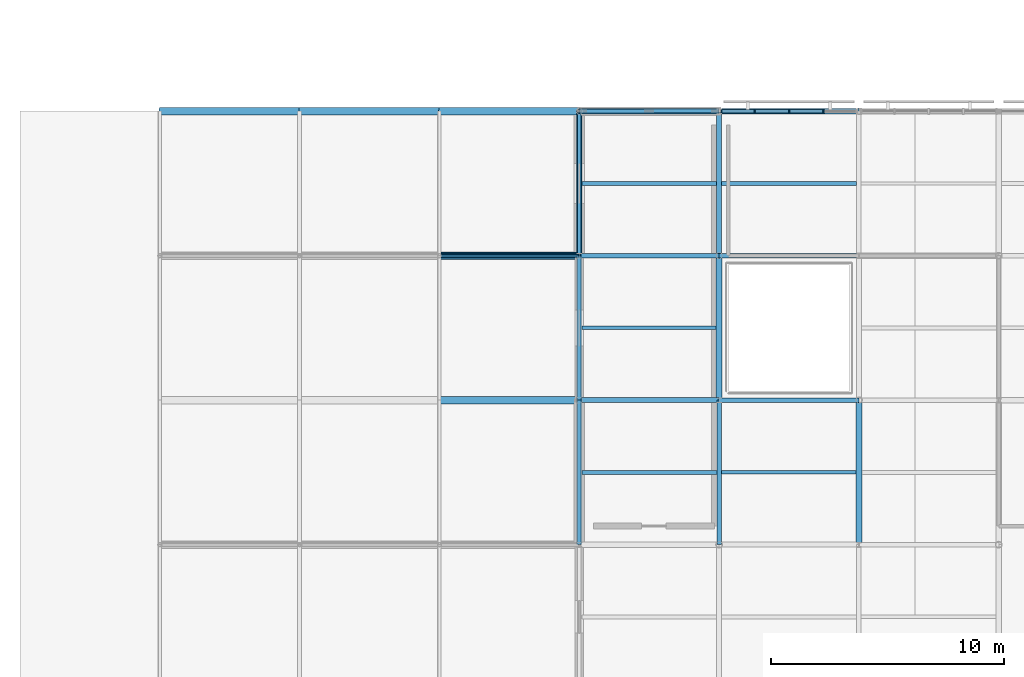
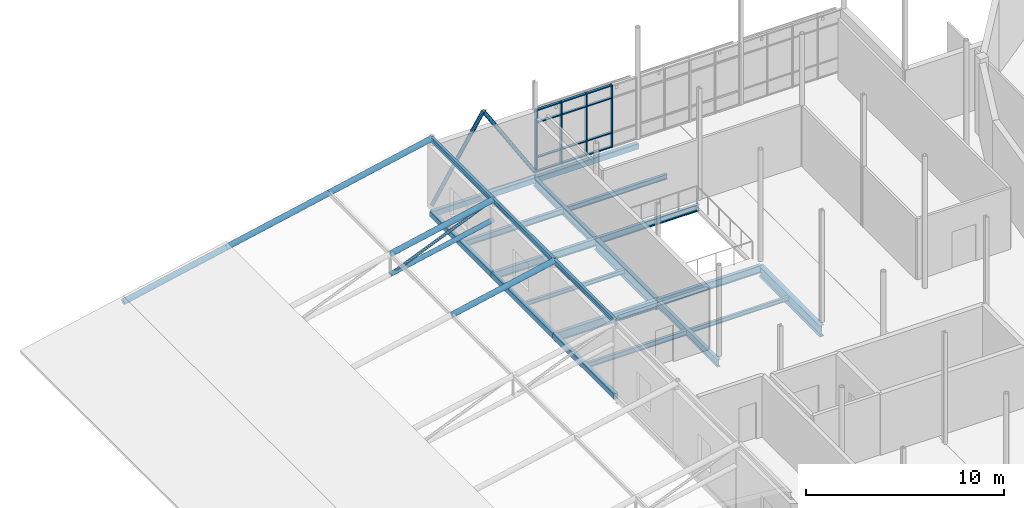
# One storey, part 25 of 66: 28 members, 18 beams, 1 element without a shape of its own.
"""IFC4 building model written with IfcOpenShell, lengths in metres."""

import ifcopenshell
import ifcopenshell.guid

model = None  # the IFC model being written
_history = None  # IfcOwnerHistory: only IFC2X3 demands one
_inside = {}  # id of a spatial element -> (the spatial element, [elements in it])
_under = {}  # id of a project, library or spatial element -> (it, [spatial elements below it])
_declared = {}  # id of a project -> (the project, [libraries it declares])
_typed = {}  # id of a type object -> (the type object, [elements of that type])
_made_of = {}  # id of a material, layer set ... -> (it, [elements and type objects made of it])


def new_model(schema):
    """Start an empty IFC model of exactly this schema.

    Asked for "IFC4X3", IfcOpenShell would pick the latest addendum, in which some entities
    have other attributes; the version numbers below select the first issue.
    IFC2X3 requires an IfcOwnerHistory on every rooted entity: one is made here for all.
    """
    global model, _history
    if schema == "IFC4X3":
        model = ifcopenshell.file(schema_version=(4, 3, 0, 0))
    else:
        model = ifcopenshell.file(schema=schema)
    _inside.clear()
    _under.clear()
    _declared.clear()
    _typed.clear()
    _made_of.clear()
    _history = None
    if model.schema == "IFC2X3":
        org = make("IfcOrganization", Name="unknown")
        user = make(
            "IfcPersonAndOrganization",
            ThePerson=make("IfcPerson", FamilyName="unknown"),
            TheOrganization=org,
        )
        app = make(
            "IfcApplication",
            ApplicationDeveloper=org,
            Version="unknown",
            ApplicationFullName="unknown",
            ApplicationIdentifier="unknown",
        )
        _history = make(
            "IfcOwnerHistory",
            OwningUser=user,
            OwningApplication=app,
            ChangeAction="ADDED",
            CreationDate=0,
        )
    return model


def make(cls, **values):
    """One entity of the class cls with the attributes given. An attribute that is None is left unset."""
    return model.create_entity(
        cls, **{name: value for name, value in values.items() if value is not None}
    )


def rooted(cls, **values):
    """An entity with a GlobalId (a new one), such as an element, a storey or a relation."""
    return make(cls, GlobalId=ifcopenshell.guid.new(), OwnerHistory=_history, **values)


def si_unit(unit_type, name, prefix=None):
    """IfcSIUnit, for example si_unit("LENGTHUNIT", "METRE", prefix="MILLI")."""
    return make("IfcSIUnit", UnitType=unit_type, Prefix=prefix, Name=name)


def assignment(units):
    """IfcUnitAssignment: the units of a project."""
    return None if units is None else make("IfcUnitAssignment", Units=units)


def point(xyz):
    """IfcCartesianPoint."""
    return None if xyz is None else make("IfcCartesianPoint", Coordinates=xyz)


def direction(xyz):
    """IfcDirection."""
    return None if xyz is None else make("IfcDirection", DirectionRatios=xyz)


def frame(location, z_axis=None, x_axis=None):
    """IfcAxis2Placement3D, a coordinate frame: its origin and axes. An axis left out is left unset."""
    return make(
        "IfcAxis2Placement3D",
        Location=point(location),
        Axis=direction(z_axis),
        RefDirection=direction(x_axis),
    )


def frame_2d(location, x_axis=None):
    """IfcAxis2Placement2D, a coordinate frame in the plane: its origin and x axis."""
    return make(
        "IfcAxis2Placement2D", Location=point(location), RefDirection=direction(x_axis)
    )


def origin():
    """The frame at (0, 0, 0) with its axes left unset."""
    return frame((0.0, 0.0, 0.0))


def origin_2d():
    """The frame at (0, 0) in the plane with its x axis left unset."""
    return frame_2d((0.0, 0.0))


def place(relative_to, where):
    """IfcLocalPlacement: puts the frame where relative to a parent placement (None: the world)."""
    return make(
        "IfcLocalPlacement", PlacementRelTo=relative_to, RelativePlacement=where
    )


def context(
    kind, dimensions, precision=None, world=None, true_north=None, identifier=None
):
    """IfcGeometricRepresentationContext, for example the 3D "Model" context."""
    return make(
        "IfcGeometricRepresentationContext",
        ContextIdentifier=identifier,
        ContextType=kind,
        CoordinateSpaceDimension=dimensions,
        Precision=precision,
        WorldCoordinateSystem=world,
        TrueNorth=true_north,
    )


def subcontext(parent, identifier, kind, view, scale=None):
    """IfcGeometricRepresentationSubContext, for example "Body" below "Model"."""
    return make(
        "IfcGeometricRepresentationSubContext",
        ContextIdentifier=identifier,
        ContextType=kind,
        ParentContext=parent,
        TargetScale=scale,
        TargetView=view,
    )


def project(units=None, contexts=None):
    """IfcProject with its units and contexts."""
    return rooted(
        "IfcProject",
        Name="project",
        RepresentationContexts=contexts,
        UnitsInContext=assignment(units),
    )


def spatial(cls, under=None, at=None, **own):
    """A site, building, storey or space (cls), placed at a placement, below another one or the project."""
    s = rooted(cls, ObjectPlacement=at, **own)
    if under is not None:
        _under.setdefault(under.id(), (under, []))[1].append(s)
    return s


def profile(cls, at=None, kind="AREA", **sizes):
    """A parametric profile (cls). Its sizes go by their IFC names, for example OverallWidth=200.0."""
    return make(cls, ProfileType=kind, Position=at, **sizes)


def rectangle(**sizes):
    """IfcRectangleProfileDef."""
    return profile("IfcRectangleProfileDef", **sizes)


def hollow_rectangle(**sizes):
    """IfcRectangleHollowProfileDef."""
    return profile("IfcRectangleHollowProfileDef", **sizes)


def hollow_circle(**sizes):
    """IfcCircleHollowProfileDef."""
    return profile("IfcCircleHollowProfileDef", **sizes)


def i_section(**sizes):
    """IfcIShapeProfileDef."""
    return profile("IfcIShapeProfileDef", **sizes)


def extrude(swept, where, along, depth):
    """IfcExtrudedAreaSolid: the profile swept, set in the frame where, extruded along a direction by depth."""
    return make(
        "IfcExtrudedAreaSolid",
        SweptArea=swept,
        Position=where,
        ExtrudedDirection=direction(along),
        Depth=depth,
    )


def shape(context_of_items, identifier, shape_type, items):
    """IfcShapeRepresentation: the items that make up one representation, for example the "Body"."""
    return make(
        "IfcShapeRepresentation",
        ContextOfItems=context_of_items,
        RepresentationIdentifier=identifier,
        RepresentationType=shape_type,
        Items=items,
    )


def material(Name=None, Category=None):
    """IfcMaterial."""
    return make("IfcMaterial", Name=Name, Category=Category)


def layer(
    of_material, thickness, ventilated=None, Name=None, Category=None, Priority=None
):
    """IfcMaterialLayer: one layer of a wall or slab, of a material (None: an air gap)."""
    return make(
        "IfcMaterialLayer",
        Material=of_material,
        LayerThickness=thickness,
        IsVentilated=ventilated,
        Name=Name,
        Category=Category,
        Priority=Priority,
    )


def layer_set(layers, Name=None):
    """IfcMaterialLayerSet."""
    return make("IfcMaterialLayerSet", MaterialLayers=layers, LayerSetName=Name)


def material_profile(
    of_material, cross_section, Name=None, Category=None, Priority=None
):
    """IfcMaterialProfile: a cross section and its material."""
    return make(
        "IfcMaterialProfile",
        Name=Name,
        Material=of_material,
        Profile=cross_section,
        Priority=Priority,
        Category=Category,
    )


def profile_set(profiles, Name=None, composite=None):
    """IfcMaterialProfileSet."""
    return make(
        "IfcMaterialProfileSet",
        Name=Name,
        MaterialProfiles=profiles,
        CompositeProfile=composite,
    )


def made_of(thing, what):
    """Note that an element or type object is made of a material, layer set ...; save() writes the relation."""
    if what is not None:
        _made_of.setdefault(what.id(), (what, []))[1].append(thing)
    return thing


def type_object(cls, material=None, **own):
    """A type object (cls), such as IfcWallType, which elements share."""
    return made_of(rooted(cls, **own), material)


def element(
    cls,
    number,
    at=None,
    inside=None,
    cuts=None,
    type_object=None,
    material=None,
    context=None,
    identifier="Body",
    shape_type=None,
    held_by="IfcProductDefinitionShape",
    body=None,
    shapes=None,
    **own,
):
    """One element of the class cls, such as IfcWall. Its Tag is "e" and its number.

    at: its placement. inside: the storey or other place that contains it. cuts: it is an
    opening in that element (IfcRelVoidsElement). A single representation is given by context,
    identifier, shape_type and body (its items); several are given by shapes. held_by: the class
    of the entity that holds the representations. save() writes the other relations.
    """
    e = rooted(cls, Tag="e%d" % number, ObjectPlacement=at, **own)
    if body is not None:
        shapes = [shape(context, identifier, shape_type, body)]
    if shapes is not None:
        e.Representation = make(held_by, Representations=shapes)
    if inside is not None:
        _inside.setdefault(inside.id(), (inside, []))[1].append(e)
    if cuts is not None:
        rooted(
            "IfcRelVoidsElement", RelatingBuildingElement=cuts, RelatedOpeningElement=e
        )
    if type_object is not None:
        _typed.setdefault(type_object.id(), (type_object, []))[1].append(e)
    return made_of(e, material)


def aggregate(whole, parts):
    """IfcRelAggregates: a whole, such as a stair, and the parts it consists of."""
    return rooted("IfcRelAggregates", RelatingObject=whole, RelatedObjects=parts)


def save(model, path):
    """Write the relations noted so far, then the file.

    IfcRelAggregates (storeys below a building ...), IfcRelContainedInSpatialStructure (elements
    in a storey), IfcRelDefinesByType, IfcRelAssociatesMaterial and IfcRelDeclares: one each for
    every whole, place, type object, material and project.
    """
    for whole, parts in _under.values():
        aggregate(whole, parts)
    for where, things in _inside.values():
        rooted(
            "IfcRelContainedInSpatialStructure",
            RelatedElements=things,
            RelatingStructure=where,
        )
    for kind, things in _typed.values():
        rooted("IfcRelDefinesByType", RelatedObjects=things, RelatingType=kind)
    for what, things in _made_of.values():
        rooted("IfcRelAssociatesMaterial", RelatedObjects=things, RelatingMaterial=what)
    for by, libraries in _declared.values():
        rooted("IfcRelDeclares", RelatingContext=by, RelatedDefinitions=libraries)
    model.write(path)


model = new_model("IFC4")

# Units and contexts
model_context = context("Model", 3, precision=1e-05, world=origin(), true_north=direction((0.0, 1.0)))
body_context = subcontext(model_context, "Body", "Model", "MODEL_VIEW")
ifc_project = project(units=[si_unit("LENGTHUNIT", "METRE"), si_unit("AREAUNIT", "SQUARE_METRE"), si_unit("VOLUMEUNIT", "CUBIC_METRE"), si_unit("PLANEANGLEUNIT", "RADIAN"), si_unit("MASSUNIT", "GRAM", prefix="KILO")], contexts=[model_context])

# Site, building, storey
site_placement = place(None, origin())
site = spatial("IfcSite", under=ifc_project, at=site_placement, CompositionType="ELEMENT")
building_placement = place(site_placement, origin())
building = spatial("IfcBuilding", under=site, at=building_placement, Name="Mirzam Square Science Centre", CompositionType="ELEMENT")
storey_placement = place(building_placement, frame((0.0, 0.0, 15.60009765625)))
storey = spatial("IfcBuildingStorey", under=building, at=storey_placement, Name="L03", CompositionType="ELEMENT", Elevation=15.60009765625)

# Beams
ifc_material_1 = material(Name="Steel S355", Category="steel")
ifc_material_profile_1 = material_profile(ifc_material_1, i_section(OverallWidth=0.1787109375, OverallDepth=0.409423828125, WebThickness=0.0087890625, FlangeThickness=0.014404296875, FilletRadius=0.01025390625, at=origin_2d()), Name="406x178x67UB")
ifc_profile_set_1 = profile_set([ifc_material_profile_1], Name="Steel S355")
beam_type_1 = type_object("IfcBeamType", Name="BM-UB406", PredefinedType="BEAM", material=ifc_profile_set_1)
beam_1_placement = place(storey_placement, frame((42.0, 74.39990234375, -0.46484375), z_axis=(1.0, 0.0, 0.0), x_axis=(0.0, 1.0, 0.0)))
element("IfcBeam", 1, at=beam_1_placement, inside=storey, type_object=beam_type_1, Name="L03 girder X8-13", PredefinedType="BEAM", context=body_context, shape_type="SweptSolid", body=[
    extrude(i_section(OverallWidth=0.1787109375, OverallDepth=0.409423828125, WebThickness=0.0087890625, FlangeThickness=0.014404296875, FilletRadius=0.01025390625, at=origin_2d()), origin(), (0.0, 0.0, 1.0), 6.0),
])
ifc_material_profile_2 = material_profile(ifc_material_1, i_section(OverallWidth=0.19140625, OverallDepth=0.4599609375, WebThickness=0.010009765625, FlangeThickness=0.01611328125, FilletRadius=0.01025390625, at=origin_2d()), Name="457x191x82UB")
ifc_profile_set_2 = profile_set([ifc_material_profile_2], Name="Steel S355")
beam_type_2 = type_object("IfcBeamType", Name="BM-UB457", PredefinedType="BEAM", material=ifc_profile_set_2)
for number, where, z_axis, x_axis, name in (
    (2, (42.0, 68.199951171875, -0.489990234375), (1.0, 0.0, 0.0), (0.0, 1.0, 0.0), "L03 girder X8-12"),
    (3, (36.0, 74.39990234375, -0.489990234375), (1.0, 0.0, 0.0), (0.0, 1.0, 0.0), "L03 girder X7-13"),
):
    element("IfcBeam", number, at=place(storey_placement, frame(where, z_axis=z_axis, x_axis=x_axis)), inside=storey, type_object=beam_type_2, Name=name, PredefinedType="BEAM", context=body_context, shape_type="SweptSolid", body=[
        extrude(i_section(OverallWidth=0.19140625, OverallDepth=0.4599609375, WebThickness=0.010009765625, FlangeThickness=0.01611328125, FilletRadius=0.01025390625, at=origin_2d()), origin(), (0.0, 0.0, 1.0), 6.0),
    ])
beam_2_placement = place(storey_placement, frame((42.0, 62.0, -0.489990234375), z_axis=(0.0, 1.0, 0.0), x_axis=(-1.0, 0.0, 0.0)))
element("IfcBeam", 4, at=beam_2_placement, inside=storey, type_object=beam_type_2, Name="L03 girder Y8-11", PredefinedType="BEAM", context=body_context, shape_type="SweptSolid", body=[
    extrude(i_section(OverallWidth=0.19140625, OverallDepth=0.4599609375, WebThickness=0.010009765625, FlangeThickness=0.01611328125, FilletRadius=0.01025390625, at=origin_2d()), origin(), (0.0, 0.0, 1.0), 6.199951171875),
])
ifc_material_profile_3 = material_profile(ifc_material_1, i_section(OverallWidth=0.2099609375, OverallDepth=0.53662109375, WebThickness=0.0107421875, FlangeThickness=0.017333984375, FilletRadius=0.0126953125, at=origin_2d()), Name="533x210x101UB")
ifc_profile_set_3 = profile_set([ifc_material_profile_3], Name="Steel S355")
beam_type_3 = type_object("IfcBeamType", Name="BM-UB533", PredefinedType="BEAM", material=ifc_profile_set_3)
beam_3_placement = place(storey_placement, frame((36.0, 68.199951171875, -0.528564453125), z_axis=(1.0, 0.0, 0.0), x_axis=(0.0, 1.0, 0.0)))
element("IfcBeam", 5, at=beam_3_placement, inside=storey, type_object=beam_type_3, Name="L03 girder X7-12", PredefinedType="BEAM", context=body_context, shape_type="SweptSolid", body=[
    extrude(i_section(OverallWidth=0.2099609375, OverallDepth=0.53662109375, WebThickness=0.0107421875, FlangeThickness=0.017333984375, FilletRadius=0.0126953125, at=origin_2d()), origin(), (0.0, 0.0, 1.0), 6.0),
])
beam_4_placement = place(storey_placement, frame((42.0, 74.39990234375, -0.528564453125), z_axis=(0.0, 1.0, 0.0), x_axis=(-1.0, 0.0, 0.0)))
element("IfcBeam", 6, at=beam_4_placement, inside=storey, type_object=beam_type_3, Name="L03 girder Y8-13", PredefinedType="BEAM", context=body_context, shape_type="SweptSolid", body=[
    extrude(i_section(OverallWidth=0.2099609375, OverallDepth=0.53662109375, WebThickness=0.0107421875, FlangeThickness=0.017333984375, FilletRadius=0.0126953125, at=origin_2d()), origin(), (0.0, 0.0, 1.0), 6.2001953125),
])
ifc_material_profile_4 = material_profile(ifc_material_1, i_section(OverallWidth=0.25439453125, OverallDepth=0.6875, WebThickness=0.01318359375, FlangeThickness=0.02099609375, FilletRadius=0.01513671875, at=origin_2d()), Name="686x254x152UB")
ifc_profile_set_4 = profile_set([ifc_material_profile_4], Name="Steel S355")
beam_type_4 = type_object("IfcBeamType", Name="BM-UB686", PredefinedType="BEAM", material=ifc_profile_set_4)
for number, where, z_axis, x_axis, name in (
    (7, (42.0, 68.199951171875, -0.60400390625), (0.0, 1.0, 0.0), (-1.0, 0.0, 0.0), "L03 girder Y8-12"),
    (8, (48.0, 62.0, -0.60400390625), (0.0, 1.0, 0.0), (-1.0, 0.0, 0.0), "L03 girder Y9-11"),
):
    element("IfcBeam", number, at=place(storey_placement, frame(where, z_axis=z_axis, x_axis=x_axis)), inside=storey, type_object=beam_type_4, Name=name, PredefinedType="BEAM", context=body_context, shape_type="SweptSolid", body=[
        extrude(i_section(OverallWidth=0.25439453125, OverallDepth=0.6875, WebThickness=0.01318359375, FlangeThickness=0.02099609375, FilletRadius=0.01513671875, at=origin_2d()), origin(), (0.0, 0.0, 1.0), 6.199951171875),
    ])

# Members
ifc_material_profile_5 = material_profile(ifc_material_1, hollow_circle(Radius=0.084228515625, WallThickness=0.008056640625, at=origin_2d()), Name="168.3x8.0CHS")
ifc_profile_set_5 = profile_set([ifc_material_profile_5], Name="Steel S355")
member_type_1 = type_object("IfcMemberType", Name="BR-CHS168", PredefinedType="BRACE", material=ifc_profile_set_5)
member_1_placement = place(storey_placement, frame((30.0, 74.39990234375, 1.67431640625), z_axis=(0.922529582988, 0.0, 0.385926377063), x_axis=(0.0, 1.0, 0.0)))
element("IfcMember", 9, at=member_1_placement, inside=storey, type_object=member_type_1, Name="Wedge truss web diagonal Y13 bay 6", PredefinedType="BRACE", context=body_context, shape_type="SweptSolid", body=[
    extrude(hollow_circle(Radius=0.084228515625, WallThickness=0.008056640625, at=origin_2d()), origin(), (0.0, 0.0, 1.0), 6.50390625),
])
ifc_material_profile_6 = material_profile(ifc_material_1, hollow_circle(Radius=0.109619140625, WallThickness=0.010009765625, at=origin_2d()), Name="219.1x10.0CHS")
ifc_profile_set_6 = profile_set([ifc_material_profile_6], Name="Steel S355")
member_type_2 = type_object("IfcMemberType", Name="BR-CHS219", PredefinedType="BRACE", material=ifc_profile_set_6)
for number, where, z_axis, x_axis, name in (
    (10, (36.0, 80.60009765625, 0.0498046875), (0.532817869845, 0.0, 0.846229943676), (0.0, 1.0, 0.0), "L03 chevron brace 3A"),
    (11, (42.0, 80.60009765625, 0.0498046875), (-0.532817869845, 0.0, 0.846229943676), (0.0, -1.0, 0.0), "L03 chevron brace 3B"),
):
    element("IfcMember", number, at=place(storey_placement, frame(where, z_axis=z_axis, x_axis=x_axis)), inside=storey, type_object=member_type_2, Name=name, PredefinedType="BRACE", context=body_context, shape_type="SweptSolid", body=[
        extrude(hollow_circle(Radius=0.109619140625, WallThickness=0.010009765625, at=origin_2d()), origin(), (0.0, 0.0, 1.0), 5.63037109375),
    ])
ifc_material_profile_7 = material_profile(ifc_material_1, hollow_circle(Radius=0.136474609375, WallThickness=0.010009765625, at=origin_2d()), Name="273.0x10.0CHS")
ifc_profile_set_7 = profile_set([ifc_material_profile_7], Name="Steel S355")
member_type_3 = type_object("IfcMemberType", Name="CH-CHS273", PredefinedType="CHORD", material=ifc_profile_set_7)
member_2_placement = place(storey_placement, frame((30.0, 74.39990234375, 1.67431640625), z_axis=(0.978653176229, 0.0, 0.205518759868), x_axis=(0.0, 1.0, 0.0)))
element("IfcMember", 12, at=member_2_placement, inside=storey, type_object=member_type_3, Name="Wedge truss bottom chord Y13 bay 6", PredefinedType="CHORD", context=body_context, shape_type="SweptSolid", body=[
    extrude(hollow_circle(Radius=0.136474609375, WallThickness=0.010009765625, at=origin_2d()), origin(), (0.0, 0.0, 1.0), 6.130859375),
])
ifc_material_profile_8 = material_profile(ifc_material_1, hollow_circle(Radius=0.161865234375, WallThickness=0.012451171875, at=origin_2d()), Name="323.9x12.5CHS")
ifc_profile_set_8 = profile_set([ifc_material_profile_8], Name="Steel S355")
member_type_4 = type_object("IfcMemberType", Name="CH-CHS324", PredefinedType="CHORD", material=ifc_profile_set_8)
for number, where, z_axis, x_axis, name in (
    (13, (30.0, 68.199951171875, 2.92431640625), (0.978653176229, 0.0, 0.205518759868), (0.0, 1.0, 0.0), "Wedge truss top chord Y12 bay 6"),
    (14, (30.0, 74.39990234375, 2.92431640625), (0.978653176229, 0.0, 0.205518759868), (0.0, 1.0, 0.0), "Wedge truss top chord Y13 bay 6"),
    (15, (18.0, 80.60009765625, 0.404296875), (0.978653176229, 0.0, 0.205518759868), (0.0, 1.0, 0.0), "Wedge truss top chord Y14 bay 4"),
    (16, (24.0, 80.60009765625, 1.664306640625), (0.978653176229, 0.0, 0.205518759868), (0.0, 1.0, 0.0), "Wedge truss top chord Y14 bay 5"),
    (17, (30.0, 80.60009765625, 2.92431640625), (0.978653176229, 0.0, 0.205518759868), (0.0, 1.0, 0.0), "Wedge truss top chord Y14 bay 6"),
):
    element("IfcMember", number, at=place(storey_placement, frame(where, z_axis=z_axis, x_axis=x_axis)), inside=storey, type_object=member_type_4, Name=name, PredefinedType="CHORD", context=body_context, shape_type="SweptSolid", body=[
        extrude(hollow_circle(Radius=0.161865234375, WallThickness=0.012451171875, at=origin_2d()), origin(), (0.0, 0.0, 1.0), 6.130859375),
    ])

# Curtain wall, members
ifc_material_2 = material(Name="Anodised Aluminium and Low-E Solar Glass", Category="aluminium")
ifc_layer = layer(ifc_material_2, 0.159912109375)
ifc_layer_set = layer_set([ifc_layer], Name="CW-COURT-A")
curtain_wall_type = type_object("IfcCurtainWallType", Name="CW-COURT-A", PredefinedType="USERDEFINED", material=ifc_layer_set)
curtain_wall_placement = place(storey_placement, origin())
curtain_wall = element("IfcCurtainWall", 18, at=curtain_wall_placement, inside=storey, type_object=curtain_wall_type, Name="L03 unitised curtain wall 31", ObjectType="UNITISED CURTAIN WALL", PredefinedType="USERDEFINED")
ifc_material_3 = material(Name="Anodised Architectural Aluminium 6063-T6", Category="aluminium")
ifc_material_profile_9 = material_profile(ifc_material_3, rectangle(XDim=0.06494140625, YDim=0.199951171875, at=origin_2d()), Name="ALU-MULL-200x65x5")
ifc_profile_set_9 = profile_set([ifc_material_profile_9], Name="Anodised Architectural Aluminium 6063-T6")
member_type_5 = type_object("IfcMemberType", Name="CWM-200", PredefinedType="MULLION", material=ifc_profile_set_9)
member_3_placement = place(storey_placement, frame((46.472412109375, 80.60009765625, 0.0), z_axis=(0.0, 0.0, 1.0), x_axis=(-1.0, 0.0, 0.0)))
member_3 = element("IfcMember", 19, at=member_3_placement, type_object=member_type_5, Name="CW-03 mullion 2", PredefinedType="MULLION", context=body_context, shape_type="SweptSolid", body=[
    extrude(rectangle(XDim=0.06494140625, YDim=0.199951171875, at=origin_2d()), origin(), (0.0, 0.0, 1.0), 3.83984375),
])
member_4_placement = place(storey_placement, frame((45.0, 80.60009765625, 0.0), z_axis=(0.0, 0.0, 1.0), x_axis=(-1.0, 0.0, 0.0)))
member_4 = element("IfcMember", 20, at=member_4_placement, type_object=member_type_5, Name="CW-03 mullion 3", PredefinedType="MULLION", context=body_context, shape_type="SweptSolid", body=[
    extrude(rectangle(XDim=0.06494140625, YDim=0.199951171875, at=origin_2d()), origin(), (0.0, 0.0, 1.0), 3.83984375),
])
member_5_placement = place(storey_placement, frame((43.527587890625, 80.60009765625, 0.0), z_axis=(0.0, 0.0, 1.0), x_axis=(-1.0, 0.0, 0.0)))
member_5 = element("IfcMember", 21, at=member_5_placement, type_object=member_type_5, Name="CW-03 mullion 4", PredefinedType="MULLION", context=body_context, shape_type="SweptSolid", body=[
    extrude(rectangle(XDim=0.06494140625, YDim=0.199951171875, at=origin_2d()), origin(), (0.0, 0.0, 1.0), 3.83984375),
])
member_6_placement = place(storey_placement, frame((42.08740234375, 80.60009765625, 0.0), z_axis=(0.0, 0.0, 1.0), x_axis=(-1.0, 0.0, 0.0)))
member_6 = element("IfcMember", 22, at=member_6_placement, type_object=member_type_5, Name="CW-03 mullion 5", PredefinedType="MULLION", context=body_context, shape_type="SweptSolid", body=[
    extrude(rectangle(XDim=0.06494140625, YDim=0.199951171875, at=origin_2d()), origin(), (0.0, 0.0, 1.0), 3.83984375),
])
ifc_material_profile_10 = material_profile(ifc_material_3, rectangle(XDim=0.14990234375, YDim=0.06494140625, at=origin_2d()), Name="ALU-TRAN-150x65x4")
ifc_profile_set_10 = profile_set([ifc_material_profile_10], Name="Anodised Architectural Aluminium 6063-T6")
member_type_6 = type_object("IfcMemberType", Name="CWT-150", PredefinedType="USERDEFINED", material=ifc_profile_set_10)
member_7_placement = place(storey_placement, frame((46.43994140625, 80.60009765625, 0.032470703125), z_axis=(-1.0, 0.0, 0.0), x_axis=(0.0, -1.0, 0.0)))
member_7 = element("IfcMember", 23, at=member_7_placement, type_object=member_type_6, Name="CW-03 transom 2.1", ObjectType="TRANSOM", PredefinedType="USERDEFINED", context=body_context, shape_type="SweptSolid", body=[
    extrude(rectangle(XDim=0.14990234375, YDim=0.06494140625, at=origin_2d()), origin(), (0.0, 0.0, 1.0), 1.407470703125),
])
member_8_placement = place(storey_placement, frame((46.43994140625, 80.60009765625, 0.89990234375), z_axis=(-1.0, 0.0, 0.0), x_axis=(0.0, -1.0, 0.0)))
member_8 = element("IfcMember", 24, at=member_8_placement, type_object=member_type_6, Name="CW-03 transom 2.2", ObjectType="TRANSOM", PredefinedType="USERDEFINED", context=body_context, shape_type="SweptSolid", body=[
    extrude(rectangle(XDim=0.14990234375, YDim=0.06494140625, at=origin_2d()), origin(), (0.0, 0.0, 1.0), 1.407470703125),
])
member_9_placement = place(storey_placement, frame((46.43994140625, 80.60009765625, 3.039794921875), z_axis=(-1.0, 0.0, 0.0), x_axis=(0.0, -1.0, 0.0)))
member_9 = element("IfcMember", 25, at=member_9_placement, type_object=member_type_6, Name="CW-03 transom 2.3", ObjectType="TRANSOM", PredefinedType="USERDEFINED", context=body_context, shape_type="SweptSolid", body=[
    extrude(rectangle(XDim=0.14990234375, YDim=0.06494140625, at=origin_2d()), origin(), (0.0, 0.0, 1.0), 1.407470703125),
])
member_10_placement = place(storey_placement, frame((46.43994140625, 80.60009765625, 3.807373046875), z_axis=(-1.0, 0.0, 0.0), x_axis=(0.0, -1.0, 0.0)))
member_10 = element("IfcMember", 26, at=member_10_placement, type_object=member_type_6, Name="CW-03 transom 2.4", ObjectType="TRANSOM", PredefinedType="USERDEFINED", context=body_context, shape_type="SweptSolid", body=[
    extrude(rectangle(XDim=0.14990234375, YDim=0.06494140625, at=origin_2d()), origin(), (0.0, 0.0, 1.0), 1.407470703125),
])
member_11_placement = place(storey_placement, frame((44.967529296875, 80.60009765625, 0.032470703125), z_axis=(-1.0, 0.0, 0.0), x_axis=(0.0, -1.0, 0.0)))
member_11 = element("IfcMember", 27, at=member_11_placement, type_object=member_type_6, Name="CW-03 transom 3.1", ObjectType="TRANSOM", PredefinedType="USERDEFINED", context=body_context, shape_type="SweptSolid", body=[
    extrude(rectangle(XDim=0.14990234375, YDim=0.06494140625, at=origin_2d()), origin(), (0.0, 0.0, 1.0), 1.407470703125),
])
member_12_placement = place(storey_placement, frame((44.967529296875, 80.60009765625, 0.89990234375), z_axis=(-1.0, 0.0, 0.0), x_axis=(0.0, -1.0, 0.0)))
member_12 = element("IfcMember", 28, at=member_12_placement, type_object=member_type_6, Name="CW-03 transom 3.2", ObjectType="TRANSOM", PredefinedType="USERDEFINED", context=body_context, shape_type="SweptSolid", body=[
    extrude(rectangle(XDim=0.14990234375, YDim=0.06494140625, at=origin_2d()), origin(), (0.0, 0.0, 1.0), 1.407470703125),
])
member_13_placement = place(storey_placement, frame((44.967529296875, 80.60009765625, 3.039794921875), z_axis=(-1.0, 0.0, 0.0), x_axis=(0.0, -1.0, 0.0)))
member_13 = element("IfcMember", 29, at=member_13_placement, type_object=member_type_6, Name="CW-03 transom 3.3", ObjectType="TRANSOM", PredefinedType="USERDEFINED", context=body_context, shape_type="SweptSolid", body=[
    extrude(rectangle(XDim=0.14990234375, YDim=0.06494140625, at=origin_2d()), origin(), (0.0, 0.0, 1.0), 1.407470703125),
])
member_14_placement = place(storey_placement, frame((44.967529296875, 80.60009765625, 3.807373046875), z_axis=(-1.0, 0.0, 0.0), x_axis=(0.0, -1.0, 0.0)))
member_14 = element("IfcMember", 30, at=member_14_placement, type_object=member_type_6, Name="CW-03 transom 3.4", ObjectType="TRANSOM", PredefinedType="USERDEFINED", context=body_context, shape_type="SweptSolid", body=[
    extrude(rectangle(XDim=0.14990234375, YDim=0.06494140625, at=origin_2d()), origin(), (0.0, 0.0, 1.0), 1.407470703125),
])
member_15_placement = place(storey_placement, frame((43.4951171875, 80.60009765625, 0.032470703125), z_axis=(-1.0, 0.0, 0.0), x_axis=(0.0, -1.0, 0.0)))
member_15 = element("IfcMember", 31, at=member_15_placement, type_object=member_type_6, Name="CW-03 transom 4.1", ObjectType="TRANSOM", PredefinedType="USERDEFINED", context=body_context, shape_type="SweptSolid", body=[
    extrude(rectangle(XDim=0.14990234375, YDim=0.06494140625, at=origin_2d()), origin(), (0.0, 0.0, 1.0), 1.375),
])
member_16_placement = place(storey_placement, frame((43.4951171875, 80.60009765625, 0.89990234375), z_axis=(-1.0, 0.0, 0.0), x_axis=(0.0, -1.0, 0.0)))
member_16 = element("IfcMember", 32, at=member_16_placement, type_object=member_type_6, Name="CW-03 transom 4.2", ObjectType="TRANSOM", PredefinedType="USERDEFINED", context=body_context, shape_type="SweptSolid", body=[
    extrude(rectangle(XDim=0.14990234375, YDim=0.06494140625, at=origin_2d()), origin(), (0.0, 0.0, 1.0), 1.375),
])
member_17_placement = place(storey_placement, frame((43.4951171875, 80.60009765625, 3.039794921875), z_axis=(-1.0, 0.0, 0.0), x_axis=(0.0, -1.0, 0.0)))
member_17 = element("IfcMember", 33, at=member_17_placement, type_object=member_type_6, Name="CW-03 transom 4.3", ObjectType="TRANSOM", PredefinedType="USERDEFINED", context=body_context, shape_type="SweptSolid", body=[
    extrude(rectangle(XDim=0.14990234375, YDim=0.06494140625, at=origin_2d()), origin(), (0.0, 0.0, 1.0), 1.375),
])
member_18_placement = place(storey_placement, frame((43.4951171875, 80.60009765625, 3.807373046875), z_axis=(-1.0, 0.0, 0.0), x_axis=(0.0, -1.0, 0.0)))
member_18 = element("IfcMember", 34, at=member_18_placement, type_object=member_type_6, Name="CW-03 transom 4.4", ObjectType="TRANSOM", PredefinedType="USERDEFINED", context=body_context, shape_type="SweptSolid", body=[
    extrude(rectangle(XDim=0.14990234375, YDim=0.06494140625, at=origin_2d()), origin(), (0.0, 0.0, 1.0), 1.375),
])
aggregate(curtain_wall, [member_3, member_4, member_5, member_6, member_7, member_8, member_9, member_10, member_11, member_12, member_13, member_14, member_15, member_16, member_17, member_18])

# Beams
ifc_material_profile_11 = material_profile(ifc_material_1, i_section(OverallWidth=0.146484375, OverallDepth=0.256103515625, WebThickness=0.00634765625, FlangeThickness=0.010986328125, FilletRadius=0.007568359375, at=origin_2d()), Name="254x146x37UB")
ifc_profile_set_11 = profile_set([ifc_material_profile_11], Name="Steel S355")
beam_type_5 = type_object("IfcBeamType", Name="JS-UB254", PredefinedType="JOIST", material=ifc_profile_set_11)
beam_5_placement = place(storey_placement, frame((36.125, 71.300048828125, -0.38818359375), z_axis=(1.0, 0.0, 0.0), x_axis=(0.0, 1.0, 0.0)))
element("IfcBeam", 35, at=beam_5_placement, inside=storey, type_object=beam_type_5, Name="L03 composite joist 7-12", PredefinedType="JOIST", context=body_context, shape_type="SweptSolid", body=[
    extrude(i_section(OverallWidth=0.146484375, OverallDepth=0.256103515625, WebThickness=0.00634765625, FlangeThickness=0.010986328125, FilletRadius=0.007568359375, at=origin_2d()), origin(), (0.0, 0.0, 1.0), 5.747802734375),
])
beam_6_placement = place(storey_placement, frame((42.095703125, 65.10009765625, -0.38818359375), z_axis=(1.0, 0.0, 0.0), x_axis=(0.0, 1.0, 0.0)))
element("IfcBeam", 36, at=beam_6_placement, inside=storey, type_object=beam_type_5, Name="L03 composite joist 8-11", PredefinedType="JOIST", context=body_context, shape_type="SweptSolid", body=[
    extrude(i_section(OverallWidth=0.146484375, OverallDepth=0.256103515625, WebThickness=0.00634765625, FlangeThickness=0.010986328125, FilletRadius=0.007568359375, at=origin_2d()), origin(), (0.0, 0.0, 1.0), 5.777099609375),
])
ifc_material_profile_12 = material_profile(ifc_material_1, i_section(OverallWidth=0.165771484375, OverallDepth=0.306640625, WebThickness=0.006591796875, FlangeThickness=0.01171875, FilletRadius=0.0087890625, at=origin_2d()), Name="305x165x46UB")
ifc_profile_set_12 = profile_set([ifc_material_profile_12], Name="Steel S355")
beam_type_6 = type_object("IfcBeamType", Name="JS-UB305", PredefinedType="JOIST", material=ifc_profile_set_12)
beam_7_placement = place(storey_placement, frame((36.125, 65.10009765625, -0.413330078125), z_axis=(1.0, 0.0, 0.0), x_axis=(0.0, 1.0, 0.0)))
element("IfcBeam", 37, at=beam_7_placement, inside=storey, type_object=beam_type_6, Name="L03 composite joist 7-11", PredefinedType="JOIST", context=body_context, shape_type="SweptSolid", body=[
    extrude(i_section(OverallWidth=0.165771484375, OverallDepth=0.306640625, WebThickness=0.006591796875, FlangeThickness=0.01171875, FilletRadius=0.0087890625, at=origin_2d()), origin(), (0.0, 0.0, 1.0), 5.779296875),
])
beam_8_placement = place(storey_placement, frame((42.10498046875, 77.5, -0.413330078125), z_axis=(1.0, 0.0, 0.0), x_axis=(0.0, 1.0, 0.0)))
element("IfcBeam", 38, at=beam_8_placement, inside=storey, type_object=beam_type_6, Name="L03 composite joist 8-13", PredefinedType="JOIST", context=body_context, shape_type="SweptSolid", body=[
    extrude(i_section(OverallWidth=0.165771484375, OverallDepth=0.306640625, WebThickness=0.006591796875, FlangeThickness=0.01171875, FilletRadius=0.0087890625, at=origin_2d()), origin(), (0.0, 0.0, 1.0), 5.79931640625),
])
ifc_material_profile_13 = material_profile(ifc_material_1, i_section(OverallWidth=0.172119140625, OverallDepth=0.35791015625, WebThickness=0.008056640625, FlangeThickness=0.012939453125, FilletRadius=0.01025390625, at=origin_2d()), Name="356x171x57UB")
ifc_profile_set_13 = profile_set([ifc_material_profile_13], Name="Steel S355")
beam_type_7 = type_object("IfcBeamType", Name="JS-UB356", PredefinedType="JOIST", material=ifc_profile_set_13)
beam_9_placement = place(storey_placement, frame((36.125, 77.5, -0.439208984375), z_axis=(1.0, 0.0, 0.0), x_axis=(0.0, 1.0, 0.0)))
element("IfcBeam", 39, at=beam_9_placement, inside=storey, type_object=beam_type_7, Name="L03 composite joist 7-13", PredefinedType="JOIST", context=body_context, shape_type="SweptSolid", body=[
    extrude(i_section(OverallWidth=0.172119140625, OverallDepth=0.35791015625, WebThickness=0.008056640625, FlangeThickness=0.012939453125, FilletRadius=0.01025390625, at=origin_2d()), origin(), (0.0, 0.0, 1.0), 5.77001953125),
])

# Members
ifc_material_profile_14 = material_profile(ifc_material_1, i_section(OverallWidth=0.165771484375, OverallDepth=0.306640625, WebThickness=0.006591796875, FlangeThickness=0.01171875, FilletRadius=0.0087890625, at=origin_2d()), Name="305x165x46UB")
ifc_profile_set_14 = profile_set([ifc_material_profile_14], Name="Steel S355")
member_type_7 = type_object("IfcMemberType", Name="RF-UB305", PredefinedType="RAFTER", material=ifc_profile_set_14)
for number, where, z_axis, x_axis, name in (
    (40, (36.0, 62.0, 4.158203125), (0.0, 1.0, 0.0), (-1.0, 0.0, 0.0), "Wedge roof rafter X7-11"),
    (41, (36.0, 68.199951171875, 4.158203125), (0.0, 1.0, 0.0), (-1.0, 0.0, 0.0), "Wedge roof rafter X7-12"),
):
    element("IfcMember", number, at=place(storey_placement, frame(where, z_axis=z_axis, x_axis=x_axis)), inside=storey, type_object=member_type_7, Name=name, PredefinedType="RAFTER", context=body_context, shape_type="SweptSolid", body=[
        extrude(i_section(OverallWidth=0.165771484375, OverallDepth=0.306640625, WebThickness=0.006591796875, FlangeThickness=0.01171875, FilletRadius=0.0087890625, at=origin_2d()), origin(), (0.0, 0.0, 1.0), 6.199951171875),
    ])
member_19_placement = place(storey_placement, frame((36.0, 74.39990234375, 4.158203125), z_axis=(0.0, 1.0, 0.0), x_axis=(-1.0, 0.0, 0.0)))
element("IfcMember", 42, at=member_19_placement, inside=storey, type_object=member_type_7, Name="Wedge roof rafter X7-13", PredefinedType="RAFTER", context=body_context, shape_type="SweptSolid", body=[
    extrude(i_section(OverallWidth=0.165771484375, OverallDepth=0.306640625, WebThickness=0.006591796875, FlangeThickness=0.01171875, FilletRadius=0.0087890625, at=origin_2d()), origin(), (0.0, 0.0, 1.0), 6.2001953125),
])

# Beams
ifc_material_profile_15 = material_profile(ifc_material_1, hollow_rectangle(XDim=0.25, YDim=0.35009765625, WallThickness=0.012451171875, InnerFilletRadius=0.012451171875, OuterFilletRadius=0.02490234375, at=origin_2d()), Name="350x250x12.5RHS")
ifc_profile_set_15 = profile_set([ifc_material_profile_15], Name="Steel S355")
beam_type_8 = type_object("IfcBeamType", Name="SP-RHS350", PredefinedType="SPANDREL", material=ifc_profile_set_15)
for number, where, z_axis, x_axis, name in (
    (43, (36.0, 80.60009765625, -0.43505859375), (1.0, 0.0, 0.0), (0.0, 1.0, 0.0), "L03 girder X7-14"),
    (44, (42.0, 80.60009765625, -0.43505859375), (1.0, 0.0, 0.0), (0.0, 1.0, 0.0), "L03 girder X8-14"),
):
    element("IfcBeam", number, at=place(storey_placement, frame(where, z_axis=z_axis, x_axis=x_axis)), inside=storey, type_object=beam_type_8, Name=name, PredefinedType="SPANDREL", context=body_context, shape_type="SweptSolid", body=[
        extrude(hollow_rectangle(XDim=0.25, YDim=0.35009765625, WallThickness=0.012451171875, InnerFilletRadius=0.012451171875, OuterFilletRadius=0.02490234375, at=origin_2d()), origin(), (0.0, 0.0, 1.0), 6.0),
    ])
for number, where, z_axis, x_axis, name in (
    (45, (36.0, 62.0, -0.43505859375), (0.0, 1.0, 0.0), (-1.0, 0.0, 0.0), "L03 girder Y7-11"),
    (46, (36.0, 68.199951171875, -0.43505859375), (0.0, 1.0, 0.0), (-1.0, 0.0, 0.0), "L03 girder Y7-12"),
):
    element("IfcBeam", number, at=place(storey_placement, frame(where, z_axis=z_axis, x_axis=x_axis)), inside=storey, type_object=beam_type_8, Name=name, PredefinedType="SPANDREL", context=body_context, shape_type="SweptSolid", body=[
        extrude(hollow_rectangle(XDim=0.25, YDim=0.35009765625, WallThickness=0.012451171875, InnerFilletRadius=0.012451171875, OuterFilletRadius=0.02490234375, at=origin_2d()), origin(), (0.0, 0.0, 1.0), 6.199951171875),
    ])
beam_10_placement = place(storey_placement, frame((36.0, 74.39990234375, -0.43505859375), z_axis=(0.0, 1.0, 0.0), x_axis=(-1.0, 0.0, 0.0)))
element("IfcBeam", 47, at=beam_10_placement, inside=storey, type_object=beam_type_8, Name="L03 girder Y7-13", PredefinedType="SPANDREL", context=body_context, shape_type="SweptSolid", body=[
    extrude(hollow_rectangle(XDim=0.25, YDim=0.35009765625, WallThickness=0.012451171875, InnerFilletRadius=0.012451171875, OuterFilletRadius=0.02490234375, at=origin_2d()), origin(), (0.0, 0.0, 1.0), 6.2001953125),
])

save(model, "model.ifc")
